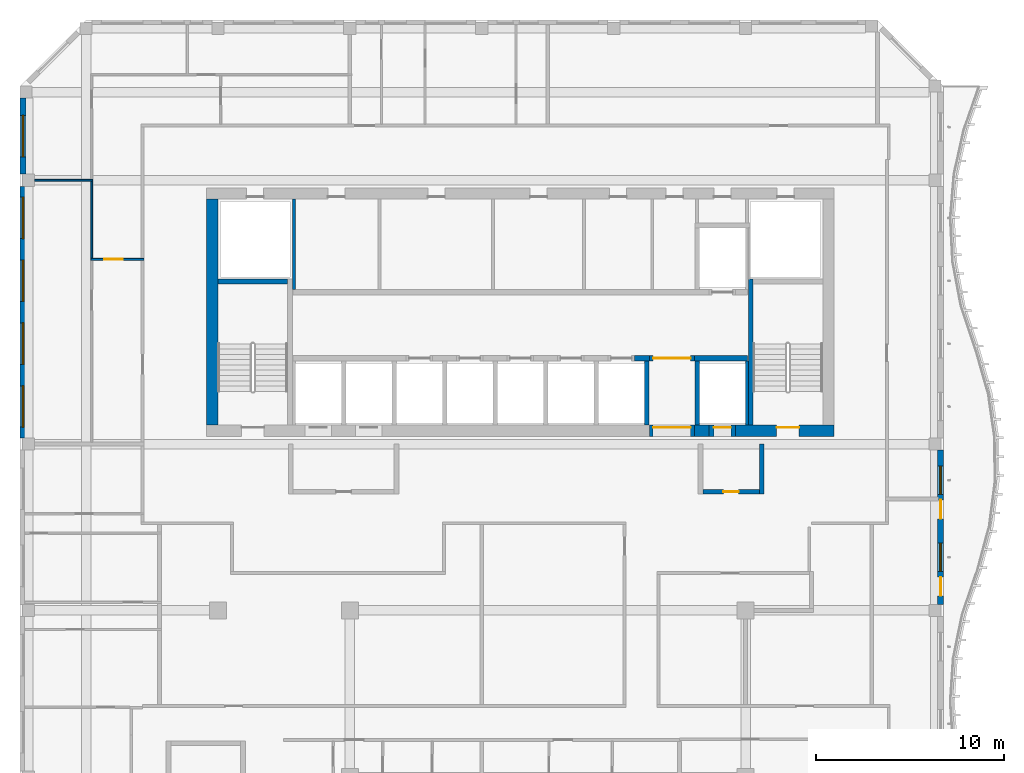
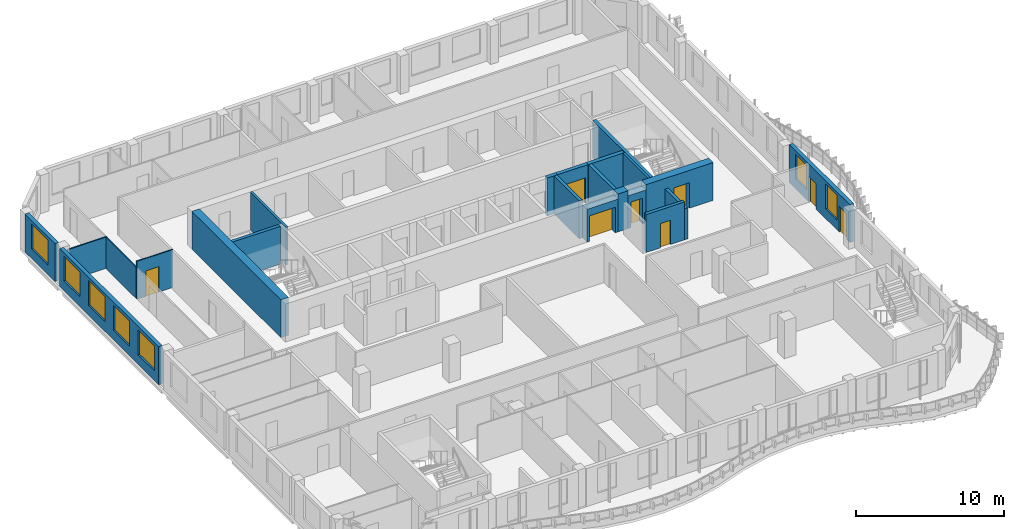
# One storey, part 6 of 16: 22 walls, 8 doors, 7 windows, 15 openings.
"""IFC4 building model written with IfcOpenShell, lengths in metres."""

from ifc_helpers import new_model, si_unit, direction, frame, frame_2d, origin, place, context, subcontext, project, spatial, rectangle, extrude, source, transform, mapped, material, layer, layer_set, type_object, element, fill, save


model = new_model("IFC4")

# Units and contexts
model_context = context("Model", 3, precision=1e-05, world=origin(), true_north=direction((0.0, 1.0)))
body_context = subcontext(model_context, "Body", "Model", "MODEL_VIEW")
ifc_project = project(units=[si_unit("LENGTHUNIT", "METRE"), si_unit("AREAUNIT", "SQUARE_METRE"), si_unit("VOLUMEUNIT", "CUBIC_METRE"), si_unit("PLANEANGLEUNIT", "RADIAN"), si_unit("MASSUNIT", "GRAM", prefix="KILO")], contexts=[model_context])

# Site, building, storey
site_placement = place(None, origin())
site = spatial("IfcSite", under=ifc_project, at=site_placement, CompositionType="ELEMENT")
building_placement = place(site_placement, origin())
building = spatial("IfcBuilding", under=site, at=building_placement, Name="Kilnfold Tower and Market Hall", CompositionType="ELEMENT")
storey_placement = place(building_placement, frame((0.0, 0.0, 284.0)))
storey = spatial("IfcBuildingStorey", under=building, at=storey_placement, Name="L70", CompositionType="ELEMENT", Elevation=284.0)

# Wall, opening, door
ifc_material_1 = material(Name="Gypsum board on steel studs", Category="steel")
ifc_layer_1 = layer(ifc_material_1, 0.10009765625)
ifc_layer_set_1 = layer_set([ifc_layer_1], Name="Gypsum board on steel studs")
wall_type_1 = type_object("IfcWallType", Name="WALL PARTITION 100", PredefinedType="PARTITIONING", material=ifc_layer_set_1)
wall_1_placement = place(storey_placement, frame((-18.927001953125, 17.800048828125, 0.0), z_axis=(0.0, 0.0, 1.0), x_axis=(-1.0, 0.0, 0.0)))
wall_1 = element("IfcWall", 1, at=wall_1_placement, inside=storey, type_object=wall_type_1, Name="Partition LY42.71", PredefinedType="PARTITIONING", context=body_context, shape_type="SweptSolid", body=[
    extrude(rectangle(XDim=2.822998046875, YDim=0.10009765625, at=frame_2d((1.41162109375, 0.0))), origin(), (0.0, 0.0, 1.0), 3.1201171875),
])
opening_1_placement = place(wall_1_placement, frame((1.114990234375, 0.0, 0.0)))
opening_1 = element("IfcOpeningElement", 2, at=opening_1_placement, cuts=wall_1, Name="Opening D1", PredefinedType="OPENING", context=body_context, shape_type="SweptSolid", body=[
    extrude(rectangle(XDim=1.0, YDim=2.10009765625, at=frame_2d((0.5, 1.050048828125))), frame((0.0, 0.06005859375, 0.0), z_axis=(0.0, -1.0, 0.0), x_axis=(1.0, 0.0, 0.0)), (0.0, 0.0, 1.0), 0.1201171875),
])
ifc_material_2 = material(Name="Timber veneer door leaf in steel frame", Category="steel")
door_type_1 = type_object("IfcDoorType", Name="DOOR ENTRY 1000 X2100", OperationType="NOTDEFINED", PredefinedType="DOOR", material=ifc_material_2)
door_1_placement = place(opening_1_placement, origin())
door_1 = element("IfcDoor", 3, at=door_1_placement, inside=storey, type_object=door_type_1, Name="Door D1", OperationType="SINGLE_SWING_RIGHT", OverallHeight=2.10009765625, OverallWidth=1.0, PredefinedType="DOOR", context=body_context, shape_type="SweptSolid", body=[
    extrude(rectangle(XDim=1.0, YDim=2.10009765625, at=frame_2d((0.5, 1.050048828125))), frame((0.0, 0.02490234375, 0.0), z_axis=(0.0, -1.0, 0.0), x_axis=(1.0, 0.0, 0.0)), (0.0, 0.0, 1.0), 0.050048828125),
])
fill(opening_1, door_1)

# Walls
wall_2_placement = place(storey_placement, frame((-21.699951171875, 17.85009765625, 0.0), z_axis=(0.0, 0.0, 1.0), x_axis=(0.0, 1.0, 0.0)))
element("IfcWall", 4, at=wall_2_placement, inside=storey, type_object=wall_type_1, Name="Partition LY42.74", PredefinedType="PARTITIONING", context=body_context, shape_type="SweptSolid", body=[
    extrude(rectangle(XDim=4.10986328125, YDim=0.10009765625, at=frame_2d((2.054931640625, 0.0))), origin(), (0.0, 0.0, 1.0), 2.570068359375),
])
wall_3_placement = place(storey_placement, frame((-21.652099609375, 22.0, 0.0), z_axis=(0.0, 0.0, 1.0), x_axis=(-1.0, 0.0, 0.0)))
element("IfcWall", 5, at=wall_3_placement, inside=storey, type_object=wall_type_1, Name="Partition LY42.77", PredefinedType="PARTITIONING", context=body_context, shape_type="SweptSolid", body=[
    extrude(rectangle(XDim=3.072998046875, YDim=0.10009765625, at=frame_2d((1.53662109375, 0.0))), origin(), (0.0, 0.0, 1.0), 2.570068359375),
])
ifc_material_3 = material(Name="Concrete C50", Category="concrete")
ifc_layer_2 = layer(ifc_material_3, 0.25)
ifc_layer_set_2 = layer_set([ifc_layer_2], Name="Concrete C50")
wall_type_2 = type_object("IfcWallType", Name="CORE WALL 250 C50", PredefinedType="SHEAR", material=ifc_layer_set_2)
shared_shape_1 = source(origin(), body_context, "Body", "SweptSolid", [
    extrude(rectangle(XDim=7.75, YDim=0.25, at=frame_2d((3.875, 0.0))), origin(), (0.0, 0.0, 1.0), 3.1201171875),
])
wall_4_placement = place(storey_placement, frame((13.27490234375, 9.0, 0.0), z_axis=(0.0, 0.0, 1.0), x_axis=(0.0, 1.0, 0.0)))
element("IfcWall", 6, at=wall_4_placement, inside=storey, type_object=wall_type_2, Name="Stair enclosure ST2", PredefinedType="SHEAR", context=body_context, shape_type="MappedRepresentation", body=[
    mapped(shared_shape_1, transform((0.0, 0.0, 0.0))),
])
shared_shape_2 = source(origin(), body_context, "Body", "SweptSolid", [
    extrude(rectangle(XDim=3.699951171875, YDim=0.25, at=frame_2d((1.85009765625, 0.0))), origin(), (0.0, 0.0, 1.0), 3.1201171875),
])
wall_5_placement = place(storey_placement, frame((-15.0, 16.625, 0.0), z_axis=(0.0, 0.0, 1.0), x_axis=(1.0, 0.0, 0.0)))
element("IfcWall", 7, at=wall_5_placement, inside=storey, type_object=wall_type_2, Name="Stair enclosure ST1", PredefinedType="SHEAR", context=body_context, shape_type="MappedRepresentation", body=[
    mapped(shared_shape_2, transform((0.0, 0.0, 0.0))),
])
ifc_material_4 = material(Name="Concrete C50", Category="concrete")
ifc_layer_3 = layer(ifc_material_4, 0.300048828125)
ifc_layer_set_3 = layer_set([ifc_layer_3], Name="Concrete C50")
wall_type_3 = type_object("IfcWallType", Name="CORE WALL 300 C50", PredefinedType="SHEAR", material=ifc_layer_set_3)
shared_shape_3 = source(origin(), body_context, "Body", "SweptSolid", [
    extrude(rectangle(XDim=0.77978515625, YDim=0.300048828125, at=frame_2d((0.389892578125, 0.0))), origin(), (0.0, 0.0, 1.0), 3.1201171875),
])
wall_6_placement = place(storey_placement, frame((7.110107421875, 12.550048828125, 0.0), z_axis=(0.0, 0.0, 1.0), x_axis=(1.0, 0.0, 0.0)))
element("IfcWall", 8, at=wall_6_placement, inside=storey, type_object=wall_type_3, Name="Core spine wall", PredefinedType="SHEAR", context=body_context, shape_type="MappedRepresentation", body=[
    mapped(shared_shape_3, transform((0.0, 0.0, 0.0))),
])
shared_shape_4 = source(origin(), body_context, "Body", "SweptSolid", [
    extrude(rectangle(XDim=2.820068359375, YDim=0.300048828125, at=frame_2d((1.41015625, 0.0))), origin(), (0.0, 0.0, 1.0), 3.1201171875),
])
wall_7_placement = place(storey_placement, frame((10.2900390625, 12.550048828125, 0.0), z_axis=(0.0, 0.0, 1.0), x_axis=(1.0, 0.0, 0.0)))
element("IfcWall", 9, at=wall_7_placement, inside=storey, type_object=wall_type_3, Name="Core spine wall", PredefinedType="SHEAR", context=body_context, shape_type="MappedRepresentation", body=[
    mapped(shared_shape_4, transform((0.0, 0.0, 0.0))),
])

# Wall, opening, door
ifc_material_5 = material(Name="Concrete C50", Category="concrete")
ifc_layer_4 = layer(ifc_material_5, 0.60009765625)
ifc_layer_set_4 = layer_set([ifc_layer_4], Name="Concrete C50")
wall_type_4 = type_object("IfcWallType", Name="CORE WALL 600 C50", PredefinedType="SHEAR", material=ifc_layer_set_4)
shared_shape_5 = source(origin(), body_context, "Body", "SweptSolid", [
    extrude(rectangle(XDim=5.22998046875, YDim=0.60009765625, at=frame_2d((2.614990234375, 0.0))), origin(), (0.0, 0.0, 1.0), 3.1201171875),
])
wall_8_placement = place(storey_placement, frame((12.469970703125, 8.699951171875, 0.0), z_axis=(0.0, 0.0, 1.0), x_axis=(1.0, 0.0, 0.0)))
wall_8 = element("IfcWall", 10, at=wall_8_placement, inside=storey, type_object=wall_type_4, Name="Core outer wall south", PredefinedType="SHEAR", context=body_context, shape_type="MappedRepresentation", body=[
    mapped(shared_shape_5, transform((0.0, 0.0, 0.0))),
])
opening_2_placement = place(wall_8_placement, frame((2.179931640625, 0.0, 0.0)))
opening_2 = element("IfcOpeningElement", 11, at=opening_2_placement, cuts=wall_8, Name="Opening SD1", PredefinedType="OPENING", context=body_context, shape_type="SweptSolid", body=[
    extrude(rectangle(XDim=1.199951171875, YDim=2.10009765625, at=frame_2d((0.60009765625, 1.050048828125))), frame((0.0, 0.31005859375, 0.0), z_axis=(0.0, -1.0, 0.0), x_axis=(1.0, 0.0, 0.0)), (0.0, 0.0, 1.0), 0.6201171875),
])
ifc_material_6 = material(Name="Steel door set with fire-resisting leaf", Category="steel")
door_type_2 = type_object("IfcDoorType", Name="STAIR FLOOR DOOR 1200X2100", OperationType="NOTDEFINED", PredefinedType="DOOR", material=ifc_material_6)
door_2_placement = place(opening_2_placement, origin())
door_2 = element("IfcDoor", 12, at=door_2_placement, inside=storey, type_object=door_type_2, Name="Exit stair ST2 door", OperationType="DOUBLE_DOOR_SINGLE_SWING", OverallHeight=2.10009765625, OverallWidth=1.199951171875, PredefinedType="DOOR", context=body_context, shape_type="SweptSolid", body=[
    extrude(rectangle(XDim=1.199951171875, YDim=2.10009765625, at=frame_2d((0.60009765625, 1.050048828125))), frame((0.0, 0.205078125, 0.0), z_axis=(0.0, -1.0, 0.0), x_axis=(1.0, 0.0, 0.0)), (0.0, 0.0, 1.0), 0.050048828125),
])
fill(opening_2, door_2)

# Walls
shared_shape_6 = source(origin(), body_context, "Body", "SweptSolid", [
    extrude(rectangle(XDim=0.780029296875, YDim=0.60009765625, at=frame_2d((0.39013671875, 0.0))), origin(), (0.0, 0.0, 1.0), 3.1201171875),
])
wall_9_placement = place(storey_placement, frame((10.2900390625, 8.699951171875, 0.0), z_axis=(0.0, 0.0, 1.0), x_axis=(1.0, 0.0, 0.0)))
element("IfcWall", 13, at=wall_9_placement, inside=storey, type_object=wall_type_4, Name="Core outer wall south", PredefinedType="SHEAR", context=body_context, shape_type="MappedRepresentation", body=[
    mapped(shared_shape_6, transform((0.0, 0.0, 0.0))),
])
shared_shape_7 = source(origin(), body_context, "Body", "SweptSolid", [
    extrude(rectangle(XDim=12.0, YDim=0.60009765625, at=frame_2d((6.0, 0.0))), origin(), (0.0, 0.0, 1.0), 3.1201171875),
])
wall_10_placement = place(storey_placement, frame((-15.300048828125, 9.0, 0.0), z_axis=(0.0, 0.0, 1.0), x_axis=(0.0, 1.0, 0.0)))
element("IfcWall", 14, at=wall_10_placement, inside=storey, type_object=wall_type_4, Name="Core outer wall west", PredefinedType="SHEAR", context=body_context, shape_type="MappedRepresentation", body=[
    mapped(shared_shape_7, transform((0.0, 0.0, 0.0))),
])

# Wall, openings, doors, windows
ifc_material_7 = material(Name="Precast concrete C50/60", Category="concrete")
ifc_layer_5 = layer(ifc_material_7, 0.300048828125)
ifc_layer_set_5 = layer_set([ifc_layer_5], Name="Precast concrete C50/60")
wall_type_5 = type_object("IfcWallType", Name="PRECAST WALL 300", PredefinedType="SOLIDWALL", material=ifc_layer_set_5)
shared_shape_8 = source(origin(), body_context, "Body", "SweptSolid", [
    extrude(rectangle(XDim=8.183349609375, YDim=0.300048828125, at=frame_2d((4.091796875, 0.0))), origin(), (0.0, 0.0, 1.0), 3.1201171875),
])
wall_11_placement = place(storey_placement, frame((23.35009765625, -0.50830078125, 0.0), z_axis=(0.0, 0.0, 1.0), x_axis=(0.0, 1.0, 0.0)))
wall_11 = element("IfcWall", 15, at=wall_11_placement, inside=storey, type_object=wall_type_5, Name="External wall L70 E", PredefinedType="SOLIDWALL", context=body_context, shape_type="MappedRepresentation", body=[
    mapped(shared_shape_8, transform((0.0, 0.0, 0.0))),
])
opening_3_placement = place(wall_11_placement, frame((1.75, 0.0, 0.800048828125)))
opening_3 = element("IfcOpeningElement", 16, at=opening_3_placement, cuts=wall_11, Name="Opening W5", PredefinedType="OPENING", context=body_context, shape_type="SweptSolid", body=[
    extrude(rectangle(XDim=1.5, YDim=2.050048828125, at=frame_2d((0.75, 1.02490234375))), frame((0.0, 0.16015625, 0.0), z_axis=(0.0, -1.0, 0.0), x_axis=(1.0, 0.0, 0.0)), (0.0, 0.0, 1.0), 0.320068359375),
])
opening_4_placement = place(wall_11_placement, frame((0.449951171875, 0.0, 0.0)))
opening_4 = element("IfcOpeningElement", 17, at=opening_4_placement, cuts=wall_11, Name="Opening BD1", PredefinedType="OPENING", context=body_context, shape_type="SweptSolid", body=[
    extrude(rectangle(XDim=1.0, YDim=2.10009765625, at=frame_2d((0.5, 1.050048828125))), frame((0.0, 0.16015625, 0.0), z_axis=(0.0, -1.0, 0.0), x_axis=(1.0, 0.0, 0.0)), (0.0, 0.0, 1.0), 0.320068359375),
])
opening_5_placement = place(wall_11_placement, frame((5.841552734375, 0.0, 0.800048828125)))
opening_5 = element("IfcOpeningElement", 18, at=opening_5_placement, cuts=wall_11, Name="Opening W5", PredefinedType="OPENING", context=body_context, shape_type="SweptSolid", body=[
    extrude(rectangle(XDim=1.5, YDim=2.050048828125, at=frame_2d((0.75, 1.02490234375))), frame((0.0, 0.16015625, 0.0), z_axis=(0.0, -1.0, 0.0), x_axis=(1.0, 0.0, 0.0)), (0.0, 0.0, 1.0), 0.320068359375),
])
opening_6_placement = place(wall_11_placement, frame((4.54150390625, 0.0, 0.0)))
opening_6 = element("IfcOpeningElement", 19, at=opening_6_placement, cuts=wall_11, Name="Opening BD1", PredefinedType="OPENING", context=body_context, shape_type="SweptSolid", body=[
    extrude(rectangle(XDim=1.0, YDim=2.10009765625, at=frame_2d((0.5, 1.050048828125))), frame((0.0, 0.16015625, 0.0), z_axis=(0.0, -1.0, 0.0), x_axis=(1.0, 0.0, 0.0)), (0.0, 0.0, 1.0), 0.320068359375),
])
ifc_material_8 = material(Name="Aluminium frame and double glazing", Category="aluminium")
door_type_3 = type_object("IfcDoorType", Name="BALCONY DOOR 1000X2100", OperationType="NOTDEFINED", PredefinedType="DOOR", material=ifc_material_8)
door_3_placement = place(opening_4_placement, origin())
door_3 = element("IfcDoor", 20, at=door_3_placement, inside=storey, type_object=door_type_3, Name="Balcony door BD1 L70 E-1", OperationType="SINGLE_SWING_LEFT", OverallHeight=2.10009765625, OverallWidth=1.0, PredefinedType="DOOR", context=body_context, shape_type="SweptSolid", body=[
    extrude(rectangle(XDim=1.0, YDim=2.10009765625, at=frame_2d((0.5, 1.050048828125))), frame((0.0, 0.02490234375, 0.0), z_axis=(0.0, -1.0, 0.0), x_axis=(1.0, 0.0, 0.0)), (0.0, 0.0, 1.0), 0.050048828125),
])
fill(opening_4, door_3)
door_4_placement = place(opening_6_placement, origin())
door_4 = element("IfcDoor", 21, at=door_4_placement, inside=storey, type_object=door_type_3, Name="Balcony door BD1 L70 E-2", OperationType="SINGLE_SWING_RIGHT", OverallHeight=2.10009765625, OverallWidth=1.0, PredefinedType="DOOR", context=body_context, shape_type="SweptSolid", body=[
    extrude(rectangle(XDim=1.0, YDim=2.10009765625, at=frame_2d((0.5, 1.050048828125))), frame((0.0, 0.02490234375, 0.0), z_axis=(0.0, -1.0, 0.0), x_axis=(1.0, 0.0, 0.0)), (0.0, 0.0, 1.0), 0.050048828125),
])
fill(opening_6, door_4)
ifc_material_9 = material(Name="Aluminium frame and double glazing", Category="aluminium")
window_type_1 = type_object("IfcWindowType", Name="WINDOW W5 1500X2050", PartitioningType="SINGLE_PANEL", PredefinedType="WINDOW", material=ifc_material_9)
window_1_placement = place(opening_3_placement, origin())
window_1 = element("IfcWindow", 22, at=window_1_placement, inside=storey, type_object=window_type_1, Name="Window W5 L70 E-1", OverallHeight=2.050048828125, OverallWidth=1.5, PartitioningType="SINGLE_PANEL", PredefinedType="WINDOW", context=body_context, shape_type="SweptSolid", body=[
    extrude(rectangle(XDim=1.5, YDim=2.050048828125, at=frame_2d((0.75, 1.02490234375))), frame((0.0, 0.030029296875, 0.0), z_axis=(0.0, -1.0, 0.0), x_axis=(1.0, 0.0, 0.0)), (0.0, 0.0, 1.0), 0.06005859375),
])
fill(opening_3, window_1)
window_2_placement = place(opening_5_placement, origin())
window_2 = element("IfcWindow", 23, at=window_2_placement, inside=storey, type_object=window_type_1, Name="Window W5 L70 E-2", OverallHeight=2.050048828125, OverallWidth=1.5, PartitioningType="SINGLE_PANEL", PredefinedType="WINDOW", context=body_context, shape_type="SweptSolid", body=[
    extrude(rectangle(XDim=1.5, YDim=2.050048828125, at=frame_2d((0.75, 1.02490234375))), frame((0.0, 0.030029296875, 0.0), z_axis=(0.0, -1.0, 0.0), x_axis=(1.0, 0.0, 0.0)), (0.0, 0.0, 1.0), 0.06005859375),
])
fill(opening_5, window_2)

# Wall, openings, windows
shared_shape_9 = source(origin(), body_context, "Body", "SweptSolid", [
    extrude(rectangle(XDim=13.35009765625, YDim=0.300048828125, at=frame_2d((6.675048828125, 0.0))), origin(), (0.0, 0.0, 1.0), 3.1201171875),
])
wall_12_placement = place(storey_placement, frame((-25.35009765625, 21.675048828125, 0.0), z_axis=(0.0, 0.0, 1.0), x_axis=(0.0, -1.0, 0.0)))
wall_12 = element("IfcWall", 24, at=wall_12_placement, inside=storey, type_object=wall_type_5, Name="External wall L70 W", PredefinedType="SOLIDWALL", context=body_context, shape_type="MappedRepresentation", body=[
    mapped(shared_shape_9, transform((0.0, 0.0, 0.0))),
])
opening_7_placement = place(wall_12_placement, frame((0.56884765625, 0.0, 0.800048828125)))
opening_7 = element("IfcOpeningElement", 25, at=opening_7_placement, cuts=wall_12, Name="Opening W3", PredefinedType="OPENING", context=body_context, shape_type="SweptSolid", body=[
    extrude(rectangle(XDim=2.199951171875, YDim=2.050048828125, at=frame_2d((1.10009765625, 1.02490234375))), frame((0.0, 0.16015625, 0.0), z_axis=(0.0, -1.0, 0.0), x_axis=(1.0, 0.0, 0.0)), (0.0, 0.0, 1.0), 0.320068359375),
])
opening_8_placement = place(wall_12_placement, frame((3.90625, 0.0, 0.800048828125)))
opening_8 = element("IfcOpeningElement", 26, at=opening_8_placement, cuts=wall_12, Name="Opening W3", PredefinedType="OPENING", context=body_context, shape_type="SweptSolid", body=[
    extrude(rectangle(XDim=2.199951171875, YDim=2.050048828125, at=frame_2d((1.10009765625, 1.02490234375))), frame((0.0, 0.16015625, 0.0), z_axis=(0.0, -1.0, 0.0), x_axis=(1.0, 0.0, 0.0)), (0.0, 0.0, 1.0), 0.320068359375),
])
opening_9_placement = place(wall_12_placement, frame((7.243896484375, 0.0, 0.800048828125)))
opening_9 = element("IfcOpeningElement", 27, at=opening_9_placement, cuts=wall_12, Name="Opening W3", PredefinedType="OPENING", context=body_context, shape_type="SweptSolid", body=[
    extrude(rectangle(XDim=2.199951171875, YDim=2.050048828125, at=frame_2d((1.10009765625, 1.02490234375))), frame((0.0, 0.16015625, 0.0), z_axis=(0.0, -1.0, 0.0), x_axis=(1.0, 0.0, 0.0)), (0.0, 0.0, 1.0), 0.320068359375),
])
opening_10_placement = place(wall_12_placement, frame((10.581298828125, 0.0, 0.800048828125)))
opening_10 = element("IfcOpeningElement", 28, at=opening_10_placement, cuts=wall_12, Name="Opening W3", PredefinedType="OPENING", context=body_context, shape_type="SweptSolid", body=[
    extrude(rectangle(XDim=2.199951171875, YDim=2.050048828125, at=frame_2d((1.10009765625, 1.02490234375))), frame((0.0, 0.16015625, 0.0), z_axis=(0.0, -1.0, 0.0), x_axis=(1.0, 0.0, 0.0)), (0.0, 0.0, 1.0), 0.320068359375),
])
ifc_material_10 = material(Name="Aluminium frame and double glazing", Category="aluminium")
window_type_2 = type_object("IfcWindowType", Name="WINDOW W3 2200X2050", PartitioningType="SINGLE_PANEL", PredefinedType="WINDOW", material=ifc_material_10)
window_3_placement = place(opening_7_placement, origin())
window_3 = element("IfcWindow", 29, at=window_3_placement, inside=storey, type_object=window_type_2, Name="Window W3 L70 W-1", OverallHeight=2.050048828125, OverallWidth=2.199951171875, PartitioningType="SINGLE_PANEL", PredefinedType="WINDOW", context=body_context, shape_type="SweptSolid", body=[
    extrude(rectangle(XDim=2.199951171875, YDim=2.050048828125, at=frame_2d((1.10009765625, 1.02490234375))), frame((0.0, 0.030029296875, 0.0), z_axis=(0.0, -1.0, 0.0), x_axis=(1.0, 0.0, 0.0)), (0.0, 0.0, 1.0), 0.06005859375),
])
fill(opening_7, window_3)
window_4_placement = place(opening_8_placement, origin())
window_4 = element("IfcWindow", 30, at=window_4_placement, inside=storey, type_object=window_type_2, Name="Window W3 L70 W-2", OverallHeight=2.050048828125, OverallWidth=2.199951171875, PartitioningType="SINGLE_PANEL", PredefinedType="WINDOW", context=body_context, shape_type="SweptSolid", body=[
    extrude(rectangle(XDim=2.199951171875, YDim=2.050048828125, at=frame_2d((1.10009765625, 1.02490234375))), frame((0.0, 0.030029296875, 0.0), z_axis=(0.0, -1.0, 0.0), x_axis=(1.0, 0.0, 0.0)), (0.0, 0.0, 1.0), 0.06005859375),
])
fill(opening_8, window_4)
window_5_placement = place(opening_9_placement, origin())
window_5 = element("IfcWindow", 31, at=window_5_placement, inside=storey, type_object=window_type_2, Name="Window W3 L70 W-3", OverallHeight=2.050048828125, OverallWidth=2.199951171875, PartitioningType="SINGLE_PANEL", PredefinedType="WINDOW", context=body_context, shape_type="SweptSolid", body=[
    extrude(rectangle(XDim=2.199951171875, YDim=2.050048828125, at=frame_2d((1.10009765625, 1.02490234375))), frame((0.0, 0.030029296875, 0.0), z_axis=(0.0, -1.0, 0.0), x_axis=(1.0, 0.0, 0.0)), (0.0, 0.0, 1.0), 0.06005859375),
])
fill(opening_9, window_5)
window_6_placement = place(opening_10_placement, origin())
window_6 = element("IfcWindow", 32, at=window_6_placement, inside=storey, type_object=window_type_2, Name="Window W3 L70 W-4", OverallHeight=2.050048828125, OverallWidth=2.199951171875, PartitioningType="SINGLE_PANEL", PredefinedType="WINDOW", context=body_context, shape_type="SweptSolid", body=[
    extrude(rectangle(XDim=2.199951171875, YDim=2.050048828125, at=frame_2d((1.10009765625, 1.02490234375))), frame((0.0, 0.030029296875, 0.0), z_axis=(0.0, -1.0, 0.0), x_axis=(1.0, 0.0, 0.0)), (0.0, 0.0, 1.0), 0.06005859375),
])
fill(opening_10, window_6)

# Wall, opening, window
shared_shape_10 = source(origin(), body_context, "Body", "SweptSolid", [
    extrude(rectangle(XDim=4.03173828125, YDim=0.300048828125, at=frame_2d((2.015869140625, 0.0))), origin(), (0.0, 0.0, 1.0), 3.1201171875),
])
wall_13_placement = place(storey_placement, frame((-25.35009765625, 26.356689453125, 0.0), z_axis=(0.0, 0.0, 1.0), x_axis=(0.0, -1.0, 0.0)))
wall_13 = element("IfcWall", 33, at=wall_13_placement, inside=storey, type_object=wall_type_5, Name="External wall L70 W", PredefinedType="SOLIDWALL", context=body_context, shape_type="MappedRepresentation", body=[
    mapped(shared_shape_10, transform((0.0, 0.0, 0.0))),
])
opening_11_placement = place(wall_13_placement, frame((0.916015625, 0.0, 0.800048828125)))
opening_11 = element("IfcOpeningElement", 34, at=opening_11_placement, cuts=wall_13, Name="Opening W3", PredefinedType="OPENING", context=body_context, shape_type="SweptSolid", body=[
    extrude(rectangle(XDim=2.199951171875, YDim=2.050048828125, at=frame_2d((1.10009765625, 1.02490234375))), frame((0.0, 0.16015625, 0.0), z_axis=(0.0, -1.0, 0.0), x_axis=(1.0, 0.0, 0.0)), (0.0, 0.0, 1.0), 0.320068359375),
])
window_7_placement = place(opening_11_placement, origin())
window_7 = element("IfcWindow", 35, at=window_7_placement, inside=storey, type_object=window_type_2, Name="Window W3 L70 W-1", OverallHeight=2.050048828125, OverallWidth=2.199951171875, PartitioningType="SINGLE_PANEL", PredefinedType="WINDOW", context=body_context, shape_type="SweptSolid", body=[
    extrude(rectangle(XDim=2.199951171875, YDim=2.050048828125, at=frame_2d((1.10009765625, 1.02490234375))), frame((0.0, 0.030029296875, 0.0), z_axis=(0.0, -1.0, 0.0), x_axis=(1.0, 0.0, 0.0)), (0.0, 0.0, 1.0), 0.06005859375),
])
fill(opening_11, window_7)

# Wall, opening, door
ifc_material_11 = material(Name="Gypsum shaft wall system")
ifc_layer_6 = layer(ifc_material_11, 0.300048828125)
ifc_layer_set_6 = layer_set([ifc_layer_6], Name="Gypsum shaft wall system")
wall_type_6 = type_object("IfcWallType", Name="SHAFT WALL 300", PredefinedType="PARTITIONING", material=ifc_layer_set_6)
shared_shape_11 = source(origin(), body_context, "Body", "SweptSolid", [
    extrude(rectangle(XDim=2.400146484375, YDim=0.300048828125, at=frame_2d((1.2001953125, 0.0))), origin(), (0.0, 0.0, 1.0), 3.1201171875),
])
wall_14_placement = place(storey_placement, frame((7.889892578125, 12.550048828125, 0.0), z_axis=(0.0, 0.0, 1.0), x_axis=(1.0, 0.0, 0.0)))
wall_14 = element("IfcWall", 36, at=wall_14_placement, inside=storey, type_object=wall_type_6, Name="Lift shaft front wall", PredefinedType="PARTITIONING", context=body_context, shape_type="MappedRepresentation", body=[
    mapped(shared_shape_11, transform((0.0, 0.0, 0.0))),
])
opening_12_placement = place(wall_14_placement, frame((0.199951171875, 0.0, 0.0)))
opening_12 = element("IfcOpeningElement", 37, at=opening_12_placement, cuts=wall_14, Name="Opening VD2", PredefinedType="OPENING", context=body_context, shape_type="SweptSolid", body=[
    extrude(rectangle(XDim=2.0, YDim=2.10009765625, at=frame_2d((1.0, 1.050048828125))), frame((0.0, 0.16015625, 0.0), z_axis=(0.0, -1.0, 0.0), x_axis=(1.0, 0.0, 0.0)), (0.0, 0.0, 1.0), 0.320068359375),
])
ifc_material_12 = material(Name="Steel door set with fire-resisting leaf", Category="steel")
door_type_4 = type_object("IfcDoorType", Name="LIFT LOBBY ENTRANCE DOOR 2000X2100", OperationType="NOTDEFINED", PredefinedType="DOOR", material=ifc_material_12)
door_5_placement = place(opening_12_placement, origin())
door_5 = element("IfcDoor", 38, at=door_5_placement, inside=storey, type_object=door_type_4, Name="Lift lobby entrance door", OperationType="DOUBLE_DOOR_SINGLE_SWING", OverallHeight=2.10009765625, OverallWidth=2.0, PredefinedType="DOOR", context=body_context, shape_type="SweptSolid", body=[
    extrude(rectangle(XDim=2.0, YDim=2.10009765625, at=frame_2d((1.0, 1.050048828125))), frame((0.0, 0.02490234375, 0.0), z_axis=(0.0, -1.0, 0.0), x_axis=(1.0, 0.0, 0.0)), (0.0, 0.0, 1.0), 0.050048828125),
])
fill(opening_12, door_5)

ifc_material_13 = material(Name="Gypsum shaft wall system")
ifc_layer_7 = layer(ifc_material_13, 0.25)
ifc_layer_set_7 = layer_set([ifc_layer_7], Name="Gypsum shaft wall system")
wall_type_7 = type_object("IfcWallType", Name="LOBBY WALL 250", PredefinedType="PARTITIONING", material=ifc_layer_set_7)
shared_shape_12 = source(origin(), body_context, "Body", "SweptSolid", [
    extrude(rectangle(XDim=3.0, YDim=0.25, at=frame_2d((1.5, 0.0))), origin(), (0.0, 0.0, 1.0), 3.1201171875),
])
wall_15_placement = place(storey_placement, frame((10.72998046875, 5.47509765625, 0.0), z_axis=(0.0, 0.0, 1.0), x_axis=(1.0, 0.0, 0.0)))
wall_15 = element("IfcWall", 39, at=wall_15_placement, inside=storey, type_object=wall_type_7, Name="Firefighting lobby wall", PredefinedType="PARTITIONING", context=body_context, shape_type="MappedRepresentation", body=[
    mapped(shared_shape_12, transform((0.0, 0.0, 0.0))),
])
opening_13_placement = place(wall_15_placement, frame((1.10009765625, 0.0, 0.0)))
opening_13 = element("IfcOpeningElement", 40, at=opening_13_placement, cuts=wall_15, Name="Opening VD1", PredefinedType="OPENING", context=body_context, shape_type="SweptSolid", body=[
    extrude(rectangle(XDim=0.800048828125, YDim=2.0, at=frame_2d((0.39990234375, 1.0))), frame((0.0, 0.135009765625, 0.0), z_axis=(0.0, -1.0, 0.0), x_axis=(1.0, 0.0, 0.0)), (0.0, 0.0, 1.0), 0.27001953125),
])
ifc_material_14 = material(Name="Steel door set with fire-resisting leaf", Category="steel")
door_type_5 = type_object("IfcDoorType", Name="FIREFIGHTING LOBBY DOOR 800X2000", OperationType="NOTDEFINED", PredefinedType="DOOR", material=ifc_material_14)
door_6_placement = place(opening_13_placement, origin())
door_6 = element("IfcDoor", 41, at=door_6_placement, inside=storey, type_object=door_type_5, Name="Firefighting lobby door", OperationType="SINGLE_SWING_RIGHT", OverallHeight=2.0, OverallWidth=0.800048828125, PredefinedType="DOOR", context=body_context, shape_type="SweptSolid", body=[
    extrude(rectangle(XDim=0.800048828125, YDim=2.0, at=frame_2d((0.39990234375, 1.0))), frame((0.0, 0.02490234375, 0.0), z_axis=(0.0, -1.0, 0.0), x_axis=(1.0, 0.0, 0.0)), (0.0, 0.0, 1.0), 0.050048828125),
])
fill(opening_13, door_6)

# Walls
ifc_material_15 = material(Name="Gypsum shaft wall system")
ifc_layer_8 = layer(ifc_material_15, 0.1650390625)
ifc_layer_set_8 = layer_set([ifc_layer_8], Name="Gypsum shaft wall system")
wall_type_8 = type_object("IfcWallType", Name="SHAFT WALL 165", PredefinedType="PARTITIONING", material=ifc_layer_set_8)
shared_shape_13 = source(origin(), body_context, "Body", "SweptSolid", [
    extrude(rectangle(XDim=4.800048828125, YDim=0.1650390625, at=frame_2d((2.39990234375, 0.0))), origin(), (0.0, 0.0, 1.0), 3.1201171875),
])
wall_16_placement = place(storey_placement, frame((-10.967529296875, 16.199951171875, 0.0), z_axis=(0.0, 0.0, 1.0), x_axis=(0.0, 1.0, 0.0)))
element("IfcWall", 42, at=wall_16_placement, inside=storey, type_object=wall_type_8, Name="Lift shaft wall", PredefinedType="PARTITIONING", context=body_context, shape_type="MappedRepresentation", body=[
    mapped(shared_shape_13, transform((0.0, 0.0, 0.0))),
])
ifc_material_16 = material(Name="Gypsum shaft wall system")
ifc_layer_9 = layer(ifc_material_16, 0.25)
ifc_layer_set_9 = layer_set([ifc_layer_9], Name="Gypsum shaft wall system")
wall_type_9 = type_object("IfcWallType", Name="SHAFT WALL 250", PredefinedType="PARTITIONING", material=ifc_layer_set_9)
shared_shape_14 = source(origin(), body_context, "Body", "SweptSolid", [
    extrude(rectangle(XDim=3.39990234375, YDim=0.25, at=frame_2d((1.699951171875, 0.0))), origin(), (0.0, 0.0, 1.0), 3.1201171875),
])
for number, where, z_axis, x_axis, name in (
    (43, (10.429931640625, 9.0, 0.0), (0.0, 0.0, 1.0), (0.0, 1.0, 0.0), "Lift shaft wall"),
    (44, (7.75, 9.0, 0.0), (0.0, 0.0, 1.0), (0.0, 1.0, 0.0), "Lift shaft wall"),
):
    element("IfcWall", number, at=place(storey_placement, frame(where, z_axis=z_axis, x_axis=x_axis)), inside=storey, type_object=wall_type_9, Name=name, PredefinedType="PARTITIONING", context=body_context, shape_type="MappedRepresentation", body=[
        mapped(shared_shape_14, transform((0.0, 0.0, 0.0))),
    ])
shared_shape_15 = source(origin(), body_context, "Body", "SweptSolid", [
    extrude(rectangle(XDim=3.39990234375, YDim=0.1650390625, at=frame_2d((1.699951171875, 0.0))), origin(), (0.0, 0.0, 1.0), 3.1201171875),
])
wall_17_placement = place(storey_placement, frame((13.0673828125, 9.0, 0.0), z_axis=(0.0, 0.0, 1.0), x_axis=(0.0, 1.0, 0.0)))
element("IfcWall", 45, at=wall_17_placement, inside=storey, type_object=wall_type_8, Name="Lift shaft wall", PredefinedType="PARTITIONING", context=body_context, shape_type="MappedRepresentation", body=[
    mapped(shared_shape_15, transform((0.0, 0.0, 0.0))),
])
shared_shape_16 = source(origin(), body_context, "Body", "SweptSolid", [
    extrude(rectangle(XDim=2.64990234375, YDim=0.25, at=frame_2d((1.324951171875, 0.0))), origin(), (0.0, 0.0, 1.0), 2.570068359375),
])
wall_18_placement = place(storey_placement, frame((13.85498046875, 5.35009765625, 0.0), z_axis=(0.0, 0.0, 1.0), x_axis=(0.0, 1.0, 0.0)))
element("IfcWall", 46, at=wall_18_placement, inside=storey, type_object=wall_type_7, Name="Firefighting lobby wall", PredefinedType="PARTITIONING", context=body_context, shape_type="MappedRepresentation", body=[
    mapped(shared_shape_16, transform((0.0, 0.0, 0.0))),
])

# Wall, opening, door
ifc_material_17 = material(Name="Gypsum shaft wall system")
ifc_layer_10 = layer(ifc_material_17, 0.60009765625)
ifc_layer_set_10 = layer_set([ifc_layer_10], Name="Gypsum shaft wall system")
wall_type_10 = type_object("IfcWallType", Name="LOBBY WALL 600", PredefinedType="PARTITIONING", material=ifc_layer_set_10)
shared_shape_17 = source(origin(), body_context, "Body", "SweptSolid", [
    extrude(rectangle(XDim=1.39990234375, YDim=0.60009765625, at=frame_2d((0.699951171875, 0.0))), origin(), (0.0, 0.0, 1.0), 2.699951171875),
])
wall_19_placement = place(storey_placement, frame((11.070068359375, 8.699951171875, 0.0), z_axis=(0.0, 0.0, 1.0), x_axis=(1.0, 0.0, 0.0)))
wall_19 = element("IfcWall", 47, at=wall_19_placement, inside=storey, type_object=wall_type_10, Name="Core wall infill", PredefinedType="PARTITIONING", context=body_context, shape_type="MappedRepresentation", body=[
    mapped(shared_shape_17, transform((0.0, 0.0, 0.0))),
])
opening_14_placement = place(wall_19_placement, frame((0.25, 0.0, 0.0)))
opening_14 = element("IfcOpeningElement", 48, at=opening_14_placement, cuts=wall_19, Name="Opening LD1", PredefinedType="OPENING", context=body_context, shape_type="SweptSolid", body=[
    extrude(rectangle(XDim=0.89990234375, YDim=2.10009765625, at=frame_2d((0.449951171875, 1.050048828125))), frame((0.0, 0.31005859375, 0.0), z_axis=(0.0, -1.0, 0.0), x_axis=(1.0, 0.0, 0.0)), (0.0, 0.0, 1.0), 0.6201171875),
])
ifc_material_18 = material(Name="Steel door set with fire-resisting leaf", Category="steel")
door_type_6 = type_object("IfcDoorType", Name="FIREFIGHTING LANDING DOOR 900X2100", OperationType="NOTDEFINED", PredefinedType="DOOR", material=ifc_material_18)
door_7_placement = place(opening_14_placement, origin())
door_7 = element("IfcDoor", 49, at=door_7_placement, inside=storey, type_object=door_type_6, Name="Landing door FF3", OperationType="SLIDING_TO_LEFT", OverallHeight=2.10009765625, OverallWidth=0.89990234375, PredefinedType="DOOR", context=body_context, shape_type="SweptSolid", body=[
    extrude(rectangle(XDim=0.89990234375, YDim=2.10009765625, at=frame_2d((0.449951171875, 1.050048828125))), frame((0.0, 0.205078125, 0.0), z_axis=(0.0, -1.0, 0.0), x_axis=(1.0, 0.0, 0.0)), (0.0, 0.0, 1.0), 0.050048828125),
])
fill(opening_14, door_7)

shared_shape_18 = source(origin(), body_context, "Body", "SweptSolid", [
    extrude(rectangle(XDim=2.400146484375, YDim=0.60009765625, at=frame_2d((1.2001953125, 0.0))), origin(), (0.0, 0.0, 1.0), 2.699951171875),
])
wall_20_placement = place(storey_placement, frame((7.889892578125, 8.699951171875, 0.0), z_axis=(0.0, 0.0, 1.0), x_axis=(1.0, 0.0, 0.0)))
wall_20 = element("IfcWall", 50, at=wall_20_placement, inside=storey, type_object=wall_type_10, Name="Core wall infill", PredefinedType="PARTITIONING", context=body_context, shape_type="MappedRepresentation", body=[
    mapped(shared_shape_18, transform((0.0, 0.0, 0.0))),
])
opening_15_placement = place(wall_20_placement, frame((0.199951171875, 0.0, 0.0)))
opening_15 = element("IfcOpeningElement", 51, at=opening_15_placement, cuts=wall_20, Name="Opening VD2", PredefinedType="OPENING", context=body_context, shape_type="SweptSolid", body=[
    extrude(rectangle(XDim=2.0, YDim=2.10009765625, at=frame_2d((1.0, 1.050048828125))), frame((0.0, 0.31005859375, 0.0), z_axis=(0.0, -1.0, 0.0), x_axis=(1.0, 0.0, 0.0)), (0.0, 0.0, 1.0), 0.6201171875),
])
door_8_placement = place(opening_15_placement, origin())
door_8 = element("IfcDoor", 52, at=door_8_placement, inside=storey, type_object=door_type_4, Name="Lift lobby entrance door", OperationType="DOUBLE_DOOR_SINGLE_SWING", OverallHeight=2.10009765625, OverallWidth=2.0, PredefinedType="DOOR", context=body_context, shape_type="SweptSolid", body=[
    extrude(rectangle(XDim=2.0, YDim=2.10009765625, at=frame_2d((1.0, 1.050048828125))), frame((0.0, 0.205078125, 0.0), z_axis=(0.0, -1.0, 0.0), x_axis=(1.0, 0.0, 0.0)), (0.0, 0.0, 1.0), 0.050048828125),
])
fill(opening_15, door_8)

save(model, "model.ifc")
